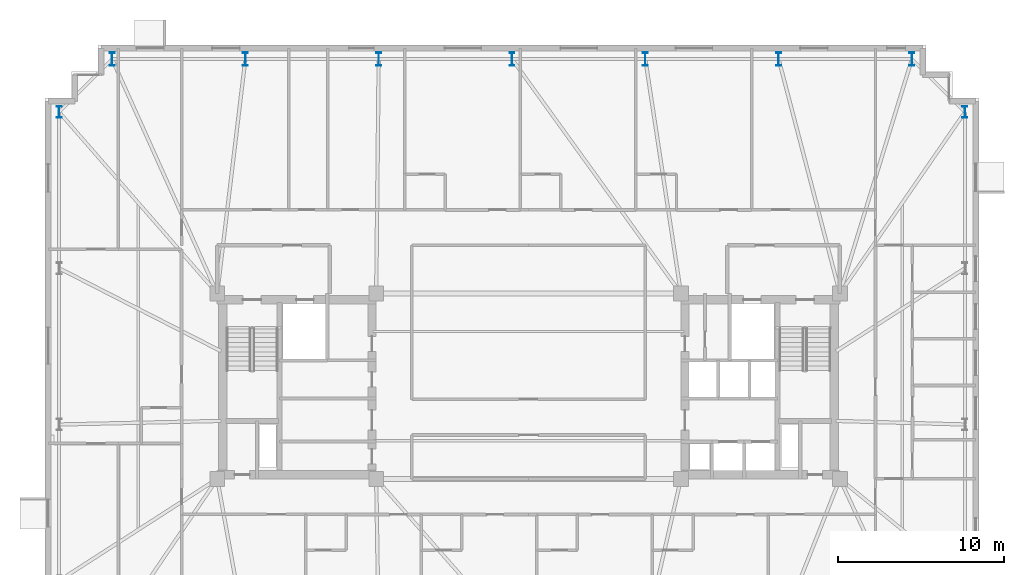
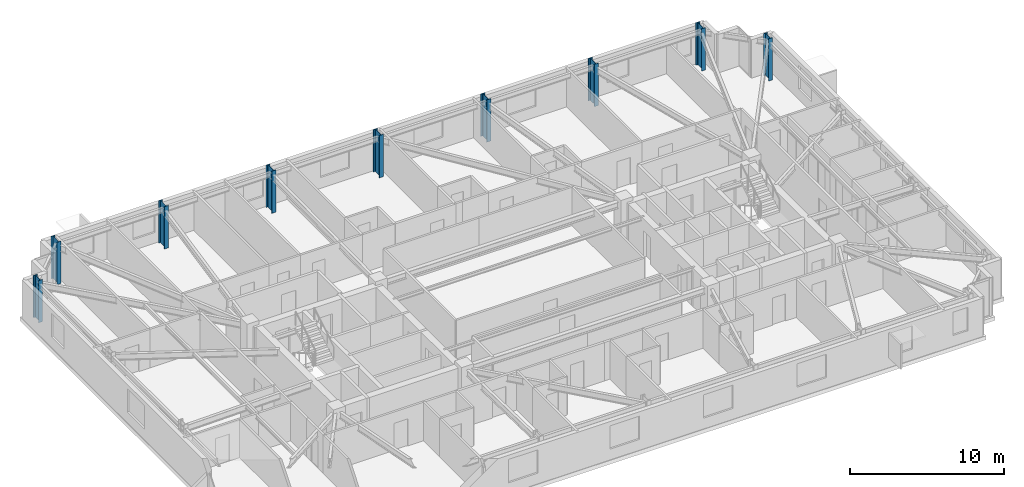
# One storey, part 2 of 17: 9 columns.
"""IFC4 building model written with IfcOpenShell, lengths in metres."""

from ifc_helpers import new_model, si_unit, direction, frame, origin, origin_2d, place, context, subcontext, project, spatial, i_section, extrude, material, material_profile, profile_set, type_object, element, save


model = new_model("IFC4")

# Units and contexts
model_context = context("Model", 3, precision=1e-05, world=origin(), true_north=direction((0.0, 1.0)))
body_context = subcontext(model_context, "Body", "Model", "MODEL_VIEW")
ifc_project = project(units=[si_unit("LENGTHUNIT", "METRE"), si_unit("AREAUNIT", "SQUARE_METRE"), si_unit("VOLUMEUNIT", "CUBIC_METRE"), si_unit("PLANEANGLEUNIT", "RADIAN"), si_unit("MASSUNIT", "GRAM", prefix="KILO")], contexts=[model_context])

# Site, building, storey
site_placement = place(None, origin())
site = spatial("IfcSite", under=ifc_project, at=site_placement, CompositionType="ELEMENT")
building_placement = place(site_placement, origin())
building = spatial("IfcBuilding", under=site, at=building_placement, Name="Qobustan Lattice House", CompositionType="ELEMENT")
storey_placement = place(building_placement, frame((0.0, 0.0, 157.800048828125)))
storey = spatial("IfcBuildingStorey", under=building, at=storey_placement, Name="L44", CompositionType="ELEMENT", Elevation=157.800048828125)

# Columns
ifc_material_1 = material(Name="Steel S355", Category="steel")
ifc_material_profile_1 = material_profile(ifc_material_1, i_section(OverallWidth=0.300048828125, OverallDepth=0.699951171875, WebThickness=0.01708984375, FlangeThickness=0.031982421875, FilletRadius=0.027099609375, at=origin_2d()), Name="HEB700")
ifc_profile_set_1 = profile_set([ifc_material_profile_1], Name="Steel S355")
column_type_1 = type_object("IfcColumnType", Name="COL-ST-HEB700", PredefinedType="COLUMN", material=ifc_profile_set_1)
for number, where, z_axis, x_axis, name in (
    (1, (26.35009765625, 16.550048828125, 0.0), (0.0, 0.0, 1.0), (1.0, 0.0, 0.0), "L44 B3 perimeter column E4"),
    (2, (-28.35009765625, 16.550048828125, 0.0), (0.0, 0.0, 1.0), (1.0, 0.0, 0.0), "L44 B3 perimeter column W1"),
):
    element("IfcColumn", number, at=place(storey_placement, frame(where, z_axis=z_axis, x_axis=x_axis)), inside=storey, type_object=column_type_1, Name=name, PredefinedType="COLUMN", context=body_context, shape_type="SweptSolid", body=[
        extrude(i_section(OverallWidth=0.300048828125, OverallDepth=0.699951171875, WebThickness=0.01708984375, FlangeThickness=0.031982421875, FilletRadius=0.027099609375, at=origin_2d()), origin(), (0.0, 0.0, 1.0), 3.349853515625),
    ])
ifc_material_2 = material(Name="Steel S355", Category="steel")
ifc_material_profile_2 = material_profile(ifc_material_2, i_section(OverallWidth=0.300048828125, OverallDepth=0.800048828125, WebThickness=0.017578125, FlangeThickness=0.032958984375, FilletRadius=0.030029296875, at=origin_2d()), Name="HEB800")
ifc_profile_set_2 = profile_set([ifc_material_profile_2], Name="Steel S355")
column_type_2 = type_object("IfcColumnType", Name="COL-ST-HEB800", PredefinedType="COLUMN", material=ifc_profile_set_2)
for number, where, z_axis, x_axis, name in (
    (3, (23.14990234375, 19.75, 0.0), (0.0, 0.0, 1.0), (1.0, 0.0, 0.0), "L44 B3 perimeter column N1"),
    (4, (15.10009765625, 19.75, 0.0), (0.0, 0.0, 1.0), (1.0, 0.0, 0.0), "L44 B3 perimeter column N2"),
    (5, (7.050048828125, 19.75, 0.0), (0.0, 0.0, 1.0), (1.0, 0.0, 0.0), "L44 B3 perimeter column N3"),
    (6, (-1.0, 19.75, 0.0), (0.0, 0.0, 1.0), (1.0, 0.0, 0.0), "L44 B3 perimeter column N4"),
    (7, (-9.050048828125, 19.75, 0.0), (0.0, 0.0, 1.0), (1.0, 0.0, 0.0), "L44 B3 perimeter column N5"),
    (8, (-17.10009765625, 19.75, 0.0), (0.0, 0.0, 1.0), (1.0, 0.0, 0.0), "L44 B3 perimeter column N6"),
    (9, (-25.14990234375, 19.75, 0.0), (0.0, 0.0, 1.0), (1.0, 0.0, 0.0), "L44 B3 perimeter column N7"),
):
    element("IfcColumn", number, at=place(storey_placement, frame(where, z_axis=z_axis, x_axis=x_axis)), inside=storey, type_object=column_type_2, Name=name, PredefinedType="COLUMN", context=body_context, shape_type="SweptSolid", body=[
        extrude(i_section(OverallWidth=0.300048828125, OverallDepth=0.800048828125, WebThickness=0.017578125, FlangeThickness=0.032958984375, FilletRadius=0.030029296875, at=origin_2d()), origin(), (0.0, 0.0, 1.0), 3.349853515625),
    ])

save(model, "model.ifc")
